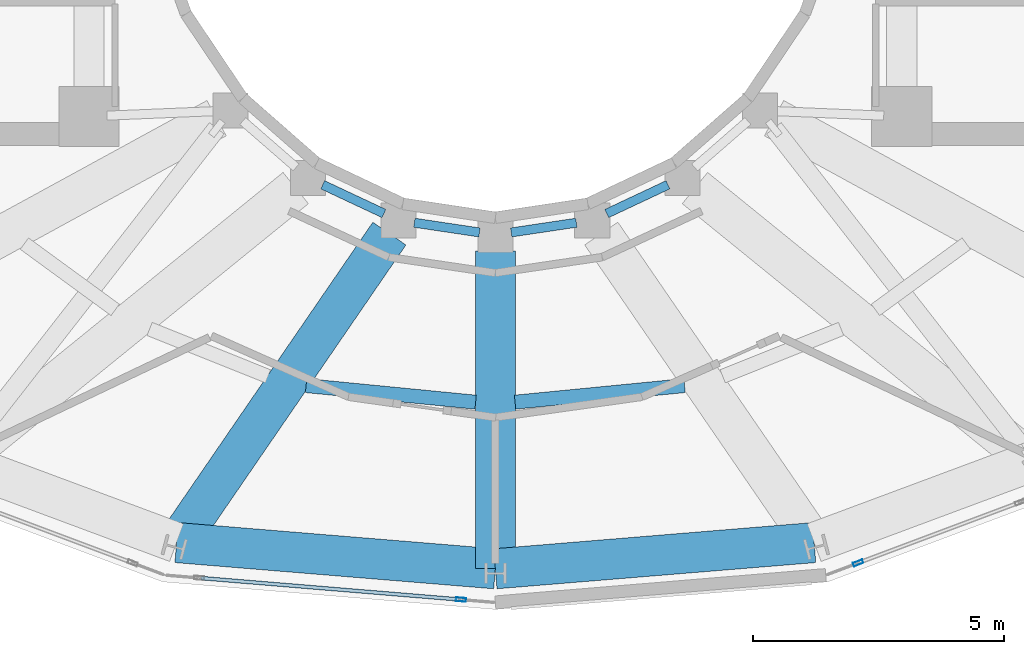
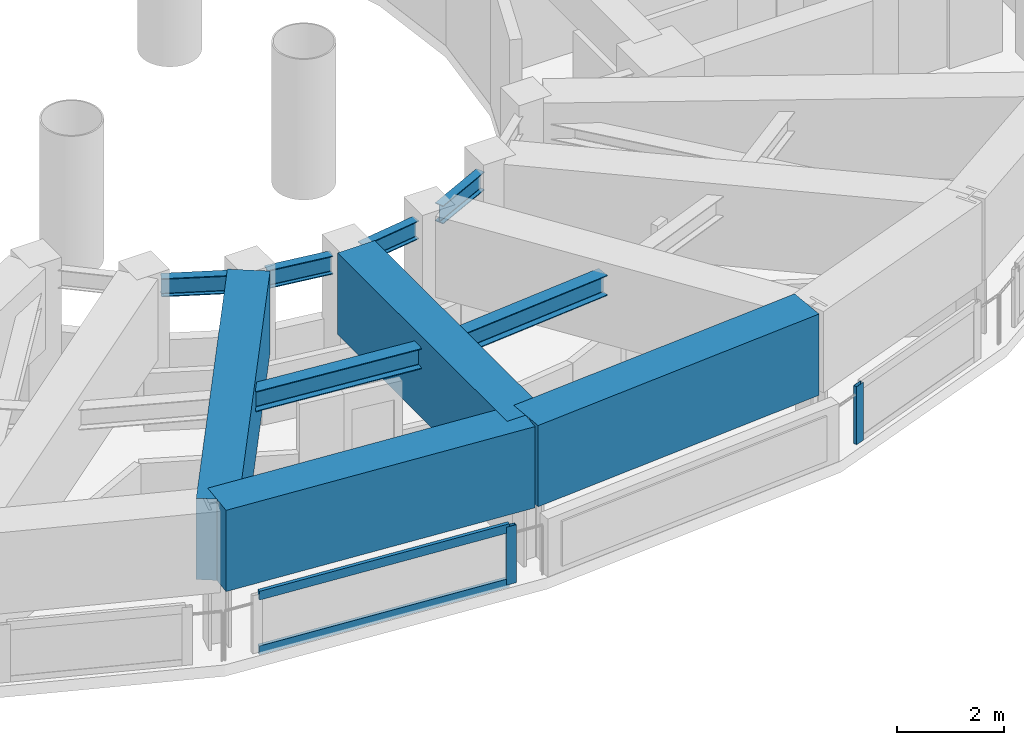
# One storey, part 4 of 17: 10 beams, 4 members, 2 elements without a shape of their own.
"""IFC4 building model written with IfcOpenShell, lengths in metres."""

from ifc_helpers import new_model, si_unit, direction, frame, origin, origin_2d, place, context, subcontext, project, spatial, rectangle, hollow_rectangle, i_section, extrude, material, layer, layer_set, material_profile, profile_set, type_object, element, aggregate, save


model = new_model("IFC4")

# Units and contexts
model_context = context("Model", 3, precision=1e-05, world=origin(), true_north=direction((0.0, 1.0)))
body_context = subcontext(model_context, "Body", "Model", "MODEL_VIEW")
ifc_project = project(units=[si_unit("LENGTHUNIT", "METRE"), si_unit("AREAUNIT", "SQUARE_METRE"), si_unit("VOLUMEUNIT", "CUBIC_METRE"), si_unit("PLANEANGLEUNIT", "RADIAN"), si_unit("MASSUNIT", "GRAM", prefix="KILO")], contexts=[model_context])

# Site, building, storey
site_placement = place(None, origin())
site = spatial("IfcSite", under=ifc_project, at=site_placement, CompositionType="ELEMENT")
building_placement = place(site_placement, origin())
building = spatial("IfcBuilding", under=site, at=building_placement, Name="Solvane Sanctuary Tower", CompositionType="ELEMENT")
storey_placement = place(building_placement, frame((0.0, 0.0, 270.0)))
storey = spatial("IfcBuildingStorey", under=building, at=storey_placement, Name="L82", CompositionType="ELEMENT", Elevation=270.0)

# Beams
ifc_material_1 = material(Name="Steel ASTM A992 Grade 50", Category="steel")
ifc_material_profile_1 = material_profile(ifc_material_1, i_section(OverallWidth=0.180908203125, OverallDepth=0.4169921875, WebThickness=0.010986328125, FlangeThickness=0.018310546875, FilletRadius=0.012939453125, at=origin_2d()), Name="W16X57")
ifc_profile_set_1 = profile_set([ifc_material_profile_1], Name="Steel ASTM A992 Grade 50")
beam_type_1 = type_object("IfcBeamType", Name="Beam B-ROOF-BM W16X57", PredefinedType="BEAM", material=ifc_profile_set_1)
beam_1_placement = place(storey_placement, frame((28.5595703125, 15.537353515625, 2.7294921875), z_axis=(0.905134542189, -0.425125229241, 0.0), x_axis=(0.425125229241, 0.905134542189, 0.0)))
element("IfcBeam", 1, at=beam_1_placement, inside=storey, type_object=beam_type_1, Name="L82 Inner Light-Well Ring Beam IC09-IC10", PredefinedType="BEAM", context=body_context, shape_type="SweptSolid", body=[
    extrude(i_section(OverallWidth=0.180908203125, OverallDepth=0.4169921875, WebThickness=0.010986328125, FlangeThickness=0.018310546875, FilletRadius=0.012939453125, at=origin_2d()), origin(), (0.0, 0.0, 1.0), 1.347900390625),
])
for number, where, z_axis, x_axis, name in (
    (2, (30.3857421875, 14.781005859375, 2.7294921875), (0.989056121481, -0.147539786368, 0.0), (0.147539786368, 0.989056121481, 0.0), "L82 Inner Light-Well Ring Beam IC10-IC11"),
    (3, (32.31640625, 14.58740234375, 2.7294921875), (0.989056121481, 0.147539786368, 0.0), (-0.147539786368, 0.989056121481, 0.0), "L82 Inner Light-Well Ring Beam IC11-IC12"),
):
    element("IfcBeam", number, at=place(storey_placement, frame(where, z_axis=z_axis, x_axis=x_axis)), inside=storey, type_object=beam_type_1, Name=name, PredefinedType="BEAM", context=body_context, shape_type="SweptSolid", body=[
        extrude(i_section(OverallWidth=0.180908203125, OverallDepth=0.4169921875, WebThickness=0.010986328125, FlangeThickness=0.018310546875, FilletRadius=0.012939453125, at=origin_2d()), origin(), (0.0, 0.0, 1.0), 1.312255859375),
    ])
beam_2_placement = place(storey_placement, frame((34.220458984375, 14.96435546875, 2.7294921875), z_axis=(0.905134542189, 0.425125229241, 0.0), x_axis=(-0.425125229241, 0.905134542189, 0.0)))
element("IfcBeam", 4, at=beam_2_placement, inside=storey, type_object=beam_type_1, Name="L82 Inner Light-Well Ring Beam IC12-IC13", PredefinedType="BEAM", context=body_context, shape_type="SweptSolid", body=[
    extrude(i_section(OverallWidth=0.180908203125, OverallDepth=0.4169921875, WebThickness=0.010986328125, FlangeThickness=0.018310546875, FilletRadius=0.012939453125, at=origin_2d()), origin(), (0.0, 0.0, 1.0), 1.347900390625),
])
ifc_material_profile_2 = material_profile(ifc_material_1, i_section(OverallWidth=0.280029296875, OverallDepth=0.462890625, WebThickness=0.0107421875, FlangeThickness=0.017333984375, FilletRadius=0.013916015625, at=origin_2d()), Name="W18X76")
ifc_profile_set_2 = profile_set([ifc_material_profile_2], Name="Steel ASTM A992 Grade 50")
beam_type_2 = type_object("IfcBeamType", Name="Beam B-SEC-JOIST W18X76", PredefinedType="JOIST", material=ifc_profile_set_2)
for number, where, z_axis, x_axis, name in (
    (5, (28.228515625, 11.534912109375, 2.70654296875), (0.995261061965, -0.097238976426, 0.0), (0.097238976426, 0.995261061965, 0.0), "L82 Secondary Circumferential Joist 10-11"),
    (6, (32.39306640625, 11.204833984375, 2.70654296875), (0.995261061965, 0.097238976426, 0.0), (-0.097238976426, 0.995261061965, 0.0), "L82 Secondary Circumferential Joist 11-12"),
):
    element("IfcBeam", number, at=place(storey_placement, frame(where, z_axis=z_axis, x_axis=x_axis)), inside=storey, type_object=beam_type_2, Name=name, PredefinedType="JOIST", context=body_context, shape_type="SweptSolid", body=[
        extrude(i_section(OverallWidth=0.280029296875, OverallDepth=0.462890625, WebThickness=0.0107421875, FlangeThickness=0.017333984375, FilletRadius=0.013916015625, at=origin_2d()), origin(), (0.0, 0.0, 1.0), 3.39453125),
    ])
ifc_material_2 = material(Name="Concrete C70/85", Category="concrete")
ifc_material_profile_3 = material_profile(ifc_material_2, rectangle(XDim=0.800048828125, YDim=1.85009765625, at=origin_2d()), Name="RC800X1850")
ifc_profile_set_3 = profile_set([ifc_material_profile_3], Name="Concrete C70/85")
beam_type_3 = type_object("IfcBeamType", Name="Beam B-XFER-BLK RC800X1850", PredefinedType="BEAM", material=ifc_profile_set_3)
beam_3_placement = place(storey_placement, frame((29.88818359375, 14.564453125, 2.27490234375), z_axis=(-0.565871663748, -0.824493335429, 0.0), x_axis=(0.824493335429, -0.565871663748, 0.0)))
element("IfcBeam", 7, at=beam_3_placement, inside=storey, type_object=beam_type_3, Name="L82 Block-Shift Radial Transfer Girder 10A", PredefinedType="BEAM", context=body_context, shape_type="SweptSolid", body=[
    extrude(rectangle(XDim=0.800048828125, YDim=1.85009765625, at=origin_2d()), origin(), (0.0, 0.0, 1.0), 7.4755859375),
])
beam_4_placement = place(storey_placement, frame((32.0, 14.219970703125, 2.27490234375), z_axis=(0.0, -1.0, 0.0), x_axis=(1.0, 0.0, 0.0)))
element("IfcBeam", 8, at=beam_4_placement, inside=storey, type_object=beam_type_3, Name="L82 Block-Shift Radial Transfer Girder 11A", PredefinedType="BEAM", context=body_context, shape_type="SweptSolid", body=[
    extrude(rectangle(XDim=0.800048828125, YDim=1.85009765625, at=origin_2d()), origin(), (0.0, 0.0, 1.0), 6.326904296875),
])
for number, where, z_axis, x_axis, name in (
    (9, (25.646484375, 8.40625, 2.27490234375), (0.996639145051, -0.081917120015, 0.0), (0.081917120015, 0.996639145051, 0.0), "L82 Perimeter Step Transfer Ring NTC10-NTC11"),
    (10, (32.0, 7.884033203125, 2.27490234375), (0.996639145051, 0.081917120015, 0.0), (-0.081917120015, 0.996639145051, 0.0), "L82 Perimeter Step Transfer Ring NTC11-NTC12"),
):
    element("IfcBeam", number, at=place(storey_placement, frame(where, z_axis=z_axis, x_axis=x_axis)), inside=storey, type_object=beam_type_3, Name=name, PredefinedType="BEAM", context=body_context, shape_type="SweptSolid", body=[
        extrude(rectangle(XDim=0.800048828125, YDim=1.85009765625, at=origin_2d()), origin(), (0.0, 0.0, 1.0), 6.375),
    ])

# Curtain wall, member
ifc_material_3 = material(Name="Anodised Aluminium 6063-T6", Category="aluminium")
ifc_layer = layer(ifc_material_3, 0.219970703125, Name="Anodised Aluminium 6063-T6")
ifc_layer_set = layer_set([ifc_layer], Name="Anodised Aluminium 6063-T6")
curtain_wall_type = type_object("IfcCurtainWallType", Name="Curtain Wall CW-CROWN", PredefinedType="NOTDEFINED", material=ifc_layer_set)
curtain_wall_1_placement = place(storey_placement, origin())
curtain_wall_1 = element("IfcCurtainWall", 11, at=curtain_wall_1_placement, inside=storey, type_object=curtain_wall_type, Name="L82 Crown Fritted Lantern Curtain Wall 17", PredefinedType="NOTDEFINED")
ifc_material_profile_4 = material_profile(ifc_material_3, hollow_rectangle(XDim=0.074951171875, YDim=0.199951171875, WallThickness=0.00390625, at=origin_2d()), Name="ALU200X75X4")
ifc_profile_set_4 = profile_set([ifc_material_profile_4], Name="Anodised Aluminium 6063-T6")
member_type_1 = type_object("IfcMemberType", Name="Member M-CW-MUL-1 ALU200X75X4", PredefinedType="MULLION", material=ifc_profile_set_4)
member_1_placement = place(storey_placement, frame((31.31494140625, 7.269775390625, 0.0), z_axis=(0.0, 0.0, 1.0), x_axis=(0.08253563446, 0.996588114039, 0.0)))
member_1 = element("IfcMember", 12, at=member_1_placement, type_object=member_type_1, Name="CW-CROWN mullion 2", PredefinedType="MULLION", context=body_context, shape_type="SweptSolid", body=[
    extrude(hollow_rectangle(XDim=0.074951171875, YDim=0.199951171875, WallThickness=0.00390625, at=origin_2d()), origin(), (0.0, 0.0, 1.0), 1.320068359375),
])

curtain_wall_2_placement = place(storey_placement, origin())
curtain_wall_2 = element("IfcCurtainWall", 13, at=curtain_wall_2_placement, inside=storey, type_object=curtain_wall_type, Name="L82 Crown Fritted Lantern Curtain Wall 19", PredefinedType="NOTDEFINED")
member_2_placement = place(storey_placement, frame((39.229248046875, 7.999755859375, 0.0), z_axis=(0.0, 0.0, 1.0), x_axis=(-0.351170134187, 0.936311666517, 0.0)))
member_2 = element("IfcMember", 14, at=member_2_placement, type_object=member_type_1, Name="CW-CROWN mullion 1", PredefinedType="MULLION", context=body_context, shape_type="SweptSolid", body=[
    extrude(hollow_rectangle(XDim=0.074951171875, YDim=0.199951171875, WallThickness=0.00390625, at=origin_2d()), origin(), (0.0, 0.0, 1.0), 1.320068359375),
])
aggregate(curtain_wall_2, [member_2])

# Member
ifc_material_profile_5 = material_profile(ifc_material_3, hollow_rectangle(XDim=0.074951171875, YDim=0.199951171875, WallThickness=0.00390625, at=origin_2d()), Name="ALU200X75X4")
ifc_profile_set_5 = profile_set([ifc_material_profile_5], Name="Anodised Aluminium 6063-T6")
member_type_2 = type_object("IfcMemberType", Name="Member M-CW-TRN-2 ALU200X75X4", PredefinedType="USERDEFINED", material=ifc_profile_set_5)
member_3_placement = place(storey_placement, frame((26.136962890625, 7.69873046875, 0.03759765625), z_axis=(0.996587090868, -0.082547987959, 0.0), x_axis=(0.082547987959, 0.996587090868, 0.0)))
member_3 = element("IfcMember", 15, at=member_3_placement, type_object=member_type_2, Name="CW-CROWN transom 1.1", ObjectType="TRANSOM", PredefinedType="USERDEFINED", context=body_context, shape_type="SweptSolid", body=[
    extrude(hollow_rectangle(XDim=0.074951171875, YDim=0.199951171875, WallThickness=0.00390625, at=origin_2d()), origin(), (0.0, 0.0, 1.0), 5.157958984375),
])

member_4_placement = place(storey_placement, frame((26.136962890625, 7.69873046875, 1.282470703125), z_axis=(0.996587090868, -0.082547987959, 0.0), x_axis=(0.082547987959, 0.996587090868, 0.0)))
member_4 = element("IfcMember", 16, at=member_4_placement, type_object=member_type_2, Name="CW-CROWN transom 1.2", ObjectType="TRANSOM", PredefinedType="USERDEFINED", context=body_context, shape_type="SweptSolid", body=[
    extrude(hollow_rectangle(XDim=0.074951171875, YDim=0.199951171875, WallThickness=0.00390625, at=origin_2d()), origin(), (0.0, 0.0, 1.0), 5.157958984375),
])

aggregate(curtain_wall_1, [member_1, member_3, member_4])

save(model, "model.ifc")
